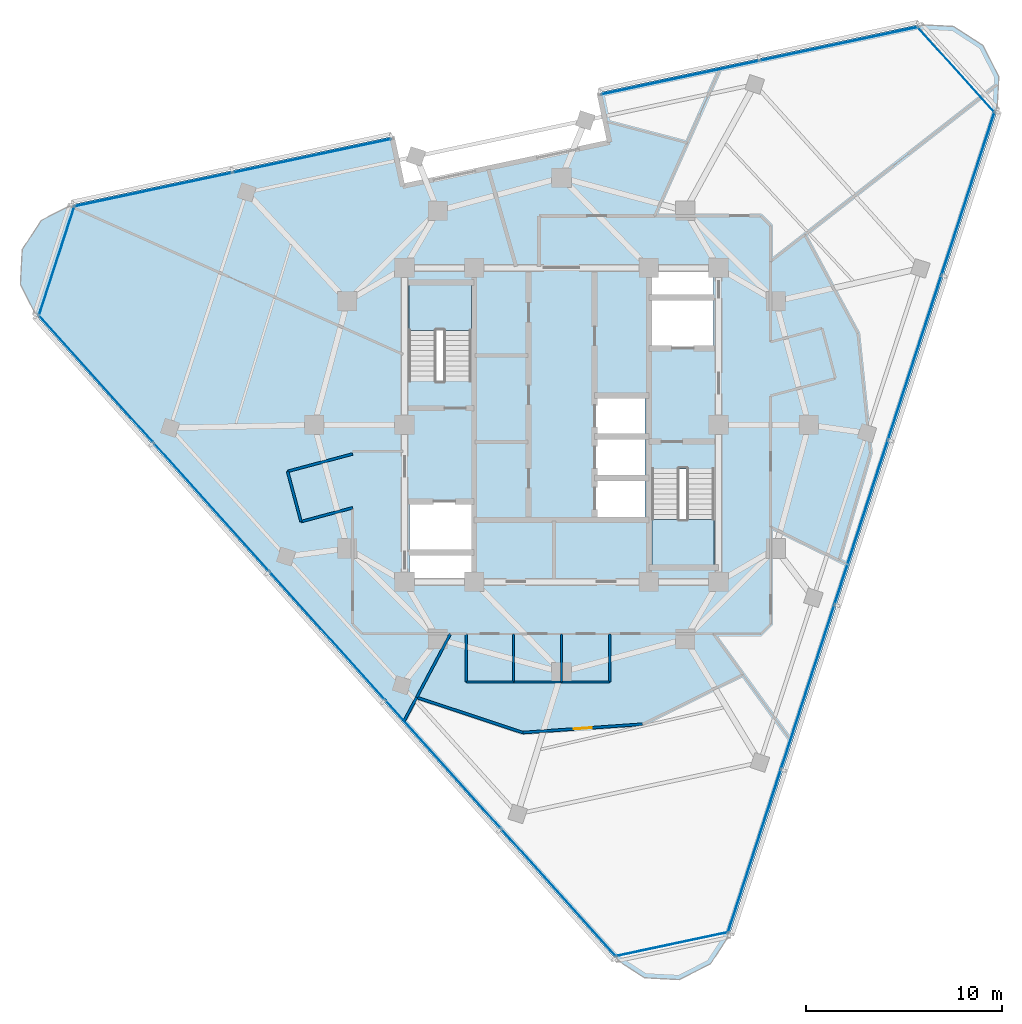
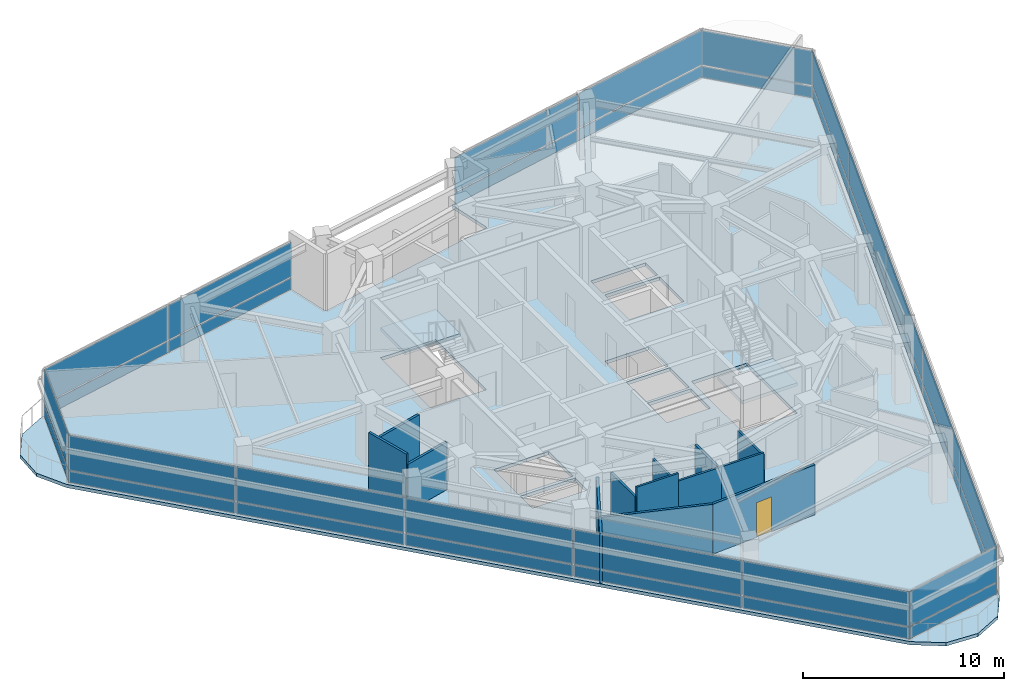
# One storey, part 7 of 15: 34 plates, 14 walls, 3 slabs, 1 door, 1 opening, 9 elements without a shape of their own.
"""IFC4 building model written with IfcOpenShell, lengths in metres."""

from ifc_helpers import new_model, si_unit, direction, frame, frame_2d, origin, origin_2d, place, context, subcontext, project, spatial, polyline, rectangle, outline, extrude, material, layer, layer_set, type_object, element, fill, aggregate, save


model = new_model("IFC4")

# Units and contexts
model_context = context("Model", 3, precision=1e-05, world=origin(), true_north=direction((0.0, 1.0)))
body_context = subcontext(model_context, "Body", "Model", "MODEL_VIEW")
ifc_project = project(units=[si_unit("LENGTHUNIT", "METRE"), si_unit("AREAUNIT", "SQUARE_METRE"), si_unit("VOLUMEUNIT", "CUBIC_METRE"), si_unit("PLANEANGLEUNIT", "RADIAN"), si_unit("MASSUNIT", "GRAM", prefix="KILO")], contexts=[model_context])

# Site, building, storey
site_placement = place(None, origin())
site = spatial("IfcSite", under=ifc_project, at=site_placement, CompositionType="ELEMENT")
building_placement = place(site_placement, origin())
building = spatial("IfcBuilding", under=site, at=building_placement, Name="Terralouvre Media Tower", CompositionType="ELEMENT")
storey_placement = place(building_placement, frame((0.0, 0.0, 294.300048828125)))
storey = spatial("IfcBuildingStorey", under=building, at=storey_placement, Name="L76", CompositionType="ELEMENT", Elevation=294.300048828125)

# Slab
ifc_material_1 = material(Name="Concrete C40/50", Category="concrete")
ifc_layer_1 = layer(ifc_material_1, 0.199951171875, Name="Composite Tower Floor Slab S-TYP200")
ifc_layer_set_1 = layer_set([ifc_layer_1], Name="Concrete C40/50")
slab_type_1 = type_object("IfcSlabType", Name="Composite Tower Floor Slab S-TYP200", PredefinedType="FLOOR", material=ifc_layer_set_1)
slab_1_placement = place(storey_placement, frame((0.0, 0.0, -0.199951171875), z_axis=(0.0, 0.0, 1.0), x_axis=(0.309016994375, 0.951056516295, 0.0)))
element("IfcSlab", 1, at=slab_1_placement, inside=storey, type_object=slab_type_1, Name="L76 Structural Floor Slab", PredefinedType="FLOOR", context=body_context, shape_type="SweptSolid", body=[
    extrude(outline(polyline([(25.0390625, -11.016357421875), (16.709228515625, 3.41162109375), (14.45751953125, 2.111572265625), (9.057373046875, 11.464599609375), (11.30908203125, 12.7646484375), (2.97900390625, 27.192626953125), (1.719970703125, 28.451904296875), (0.0, 28.91259765625), (-1.719970703125, 28.451904296875), (-2.97900390625, 27.192626953125), (-25.0390625, -11.016357421875), (-25.5, -12.736328125), (-25.0390625, -14.456298828125), (-23.780029296875, -15.715576171875), (-22.06005859375, -16.17626953125), (22.06005859375, -16.17626953125), (23.780029296875, -15.715576171875), (25.0390625, -14.456298828125), (25.5, -12.736328125), (25.0390625, -11.016357421875)]), holes=[polyline([(-7.698486328125, 2.33544921875), (-8.839599609375, 1.964599609375), (-9.813232421875, 4.96044921875), (-8.671875, 5.3310546875), (-7.698486328125, 2.33544921875)]), polyline([(-5.17822265625, 3.154296875), (-7.50830078125, 2.397216796875), (-8.481689453125, 5.39306640625), (-6.151611328125, 6.150146484375), (-5.17822265625, 3.154296875)]), polyline([(-5.483154296875, -6.618408203125), (-0.713623046875, -5.068603515625), (0.26904296875, -8.093017578125), (-4.50048828125, -9.642578125), (-5.483154296875, -6.618408203125)]), polyline([(-1.33056640625, -4.901123046875), (-3.17578125, -5.50048828125), (-3.9482421875, -3.122802734375), (-2.103271484375, -2.5234375), (-1.33056640625, -4.901123046875)]), polyline([(0.66650390625, -4.252197265625), (-1.178466796875, -4.8515625), (-1.950927734375, -2.473876953125), (-0.10595703125, -1.87451171875), (0.66650390625, -4.252197265625)]), polyline([(2.663818359375, -3.603271484375), (0.81884765625, -4.20263671875), (0.046142578125, -1.824951171875), (1.891357421875, -1.2255859375), (2.663818359375, -3.603271484375)]), polyline([(5.483154296875, 6.618408203125), (0.713623046875, 5.068603515625), (-0.26904296875, 8.093017578125), (4.50048828125, 9.642578125), (5.483154296875, 6.618408203125)]), polyline([(6.151611328125, -6.150146484375), (5.17822265625, -3.154296875), (7.50830078125, -2.397216796875), (8.481689453125, -5.39306640625), (6.151611328125, -6.150146484375)]), polyline([(8.671875, -5.3310546875), (7.698486328125, -2.33544921875), (8.839599609375, -1.964599609375), (9.813232421875, -4.96044921875), (8.671875, -5.3310546875)])]), origin(), (0.0, 0.0, 1.0), 0.199951171875),
])

# Stair, slab
ifc_material_2 = material(Name="Concrete C45/55", Category="concrete")
stair_type_1 = type_object("IfcStairType", Name="Dogleg Stair Assembly ST-01", PredefinedType="HALF_TURN_STAIR", material=ifc_material_2)
stair_1_placement = place(storey_placement, origin())
stair_1 = element("IfcStair", 2, at=stair_1_placement, inside=storey, type_object=stair_type_1, Name="L76 Core Pressurised Exit Stair ST-01", PredefinedType="HALF_TURN_STAIR")
ifc_material_3 = material(Name="Concrete C45/55", Category="concrete")
ifc_layer_2 = layer(ifc_material_3, 0.199951171875, Name="Reinforced Concrete Stair Half-Landing SL-LD1")
ifc_layer_set_2 = layer_set([ifc_layer_2], Name="Concrete C45/55")
slab_type_2 = type_object("IfcSlabType", Name="Reinforced Concrete Stair Half-Landing SL-LD1", PredefinedType="LANDING", material=ifc_layer_set_2)
slab_2_placement = place(storey_placement, frame((0.0, 0.0, 1.64990234375)))
slab_2 = element("IfcSlab", 3, at=slab_2_placement, type_object=slab_type_2, Name="ST-01 landing 1", PredefinedType="LANDING", context=body_context, shape_type="SweptSolid", body=[
    extrude(outline(polyline([(-4.60009765625, 4.820068359375), (-4.60009765625, 7.260009765625), (-7.780029296875, 7.260009765625), (-7.780029296875, 4.820068359375), (-4.60009765625, 4.820068359375)])), origin(), (0.0, 0.0, 1.0), 0.199951171875),
])
aggregate(stair_1, [slab_2])

ifc_material_4 = material(Name="Concrete C45/55", Category="concrete")
stair_type_2 = type_object("IfcStairType", Name="Dogleg Stair Assembly ST-02", PredefinedType="HALF_TURN_STAIR", material=ifc_material_4)
stair_2_placement = place(storey_placement, origin())
stair_2 = element("IfcStair", 4, at=stair_2_placement, inside=storey, type_object=stair_type_2, Name="L76 Core Pressurised Exit Stair ST-02", PredefinedType="HALF_TURN_STAIR")
slab_3_placement = place(storey_placement, frame((0.0, 0.0, 1.64990234375)))
slab_3 = element("IfcSlab", 5, at=slab_3_placement, type_object=slab_type_2, Name="ST-02 landing 1", PredefinedType="LANDING", context=body_context, shape_type="SweptSolid", body=[
    extrude(outline(polyline([(4.60009765625, -4.820068359375), (4.60009765625, -7.260009765625), (7.780029296875, -7.260009765625), (7.780029296875, -4.820068359375), (4.60009765625, -4.820068359375)])), origin(), (0.0, 0.0, 1.0), 0.199951171875),
])
aggregate(stair_2, [slab_3])

# Curtain wall, plates
ifc_material_5 = material(Name="Low-iron laminated double glazing with solar-control coating", Category="glass")
ifc_layer_3 = layer(ifc_material_5, 0.1650390625, Name="Rounded Wind-Corner Curved Glazing CW-04")
ifc_layer_set_3 = layer_set([ifc_layer_3], Name="Low-iron laminated double glazing with solar-control coating")
curtain_wall_type_1 = type_object("IfcCurtainWallType", Name="Rounded Wind-Corner Curved Glazing CW-04", PredefinedType="NOTDEFINED", material=ifc_layer_set_3)
curtain_wall_1_placement = place(storey_placement, origin())
curtain_wall_1 = element("IfcCurtainWall", 6, at=curtain_wall_1_placement, inside=storey, type_object=curtain_wall_type_1, Name="L76 Rounded Wind-Corner Curtain Wall C0", PredefinedType="NOTDEFINED")
ifc_material_6 = material(Name="Low-iron laminated double glazing with solar-control coating", Category="glass")
ifc_layer_4 = layer(ifc_material_6, 0.0400390625, Name="Rounded Corner Laminated Vision Panel CWP-03")
ifc_layer_set_4 = layer_set([ifc_layer_4], Name="Low-iron laminated double glazing with solar-control coating")
plate_type_1 = type_object("IfcPlateType", Name="Rounded Corner Laminated Vision Panel CWP-03", PredefinedType="CURTAIN_PANEL", material=ifc_layer_set_4)
plate_1_placement = place(storey_placement, frame((5.62451171875, -26.46142578125, 0.074951171875), z_axis=(0.0, 0.0, 1.0), x_axis=(0.978147609922, 0.207911647592, 0.0)))
plate_1 = element("IfcPlate", 7, at=plate_1_placement, type_object=plate_type_1, Name="CW-04 panel 1.1", PredefinedType="CURTAIN_PANEL", context=body_context, shape_type="SweptSolid", body=[
    extrude(rectangle(XDim=5.808349609375, YDim=0.035888671875, at=origin_2d()), origin(), (0.0, 0.0, 1.0), 0.6875),
])
plate_2_placement = place(storey_placement, frame((5.62451171875, -26.46142578125, 0.83740234375), z_axis=(0.0, 0.0, 1.0), x_axis=(0.978147609922, 0.207911647592, 0.0)))
plate_2 = element("IfcPlate", 8, at=plate_2_placement, type_object=plate_type_1, Name="CW-04 panel 1.2", PredefinedType="CURTAIN_PANEL", context=body_context, shape_type="SweptSolid", body=[
    extrude(rectangle(XDim=5.808349609375, YDim=0.035888671875, at=origin_2d()), origin(), (0.0, 0.0, 1.0), 2.08740234375),
])
aggregate(curtain_wall_1, [plate_1, plate_2])

curtain_wall_2_placement = place(storey_placement, origin())
curtain_wall_2 = element("IfcCurtainWall", 9, at=curtain_wall_2_placement, inside=storey, type_object=curtain_wall_type_1, Name="L76 Rounded Wind-Corner Curtain Wall C1", PredefinedType="NOTDEFINED")
plate_3_placement = place(storey_placement, frame((20.10400390625, 18.101806640625, 0.074951171875), z_axis=(0.0, 0.0, 1.0), x_axis=(-0.669130231192, 0.743145163279, 0.0)))
plate_3 = element("IfcPlate", 10, at=plate_3_placement, type_object=plate_type_1, Name="CW-04 panel 1.1", PredefinedType="CURTAIN_PANEL", context=body_context, shape_type="SweptSolid", body=[
    extrude(rectangle(XDim=5.808349609375, YDim=0.035888671875, at=origin_2d()), origin(), (0.0, 0.0, 1.0), 0.6875),
])
plate_4_placement = place(storey_placement, frame((20.10400390625, 18.101806640625, 0.83740234375), z_axis=(0.0, 0.0, 1.0), x_axis=(-0.669130231192, 0.743145163279, 0.0)))
plate_4 = element("IfcPlate", 11, at=plate_4_placement, type_object=plate_type_1, Name="CW-04 panel 1.2", PredefinedType="CURTAIN_PANEL", context=body_context, shape_type="SweptSolid", body=[
    extrude(rectangle(XDim=5.808349609375, YDim=0.035888671875, at=origin_2d()), origin(), (0.0, 0.0, 1.0), 2.08740234375),
])
aggregate(curtain_wall_2, [plate_3, plate_4])

curtain_wall_3_placement = place(storey_placement, origin())
curtain_wall_3 = element("IfcCurtainWall", 12, at=curtain_wall_3_placement, inside=storey, type_object=curtain_wall_type_1, Name="L76 Rounded Wind-Corner Curtain Wall C2", PredefinedType="NOTDEFINED")
plate_5_placement = place(storey_placement, frame((-25.728759765625, 8.359619140625, 0.074951171875), z_axis=(0.0, 0.0, 1.0), x_axis=(-0.30901654693, -0.951056661679, 0.0)))
plate_5 = element("IfcPlate", 13, at=plate_5_placement, type_object=plate_type_1, Name="CW-04 panel 1.1", PredefinedType="CURTAIN_PANEL", context=body_context, shape_type="SweptSolid", body=[
    extrude(rectangle(XDim=5.808349609375, YDim=0.035888671875, at=origin_2d()), origin(), (0.0, 0.0, 1.0), 0.6875),
])
plate_6_placement = place(storey_placement, frame((-25.728759765625, 8.359619140625, 0.83740234375), z_axis=(0.0, 0.0, 1.0), x_axis=(-0.30901654693, -0.951056661679, 0.0)))
plate_6 = element("IfcPlate", 14, at=plate_6_placement, type_object=plate_type_1, Name="CW-04 panel 1.2", PredefinedType="CURTAIN_PANEL", context=body_context, shape_type="SweptSolid", body=[
    extrude(rectangle(XDim=5.808349609375, YDim=0.035888671875, at=origin_2d()), origin(), (0.0, 0.0, 1.0), 2.08740234375),
])
aggregate(curtain_wall_3, [plate_5, plate_6])

ifc_material_7 = material(Name="Low-iron laminated double glazing with solar-control coating", Category="glass")
ifc_layer_5 = layer(ifc_material_7, 0.1650390625, Name="Faceted Glass-Point Crown Curtain Wall CW-06")
ifc_layer_set_5 = layer_set([ifc_layer_5], Name="Low-iron laminated double glazing with solar-control coating")
curtain_wall_type_2 = type_object("IfcCurtainWallType", Name="Faceted Glass-Point Crown Curtain Wall CW-06", PredefinedType="NOTDEFINED", material=ifc_layer_set_5)
curtain_wall_4_placement = place(storey_placement, origin())
curtain_wall_4 = element("IfcCurtainWall", 15, at=curtain_wall_4_placement, inside=storey, type_object=curtain_wall_type_2, Name="L76 Facade Curtain Wall F0", PredefinedType="NOTDEFINED")
ifc_material_8 = material(Name="Low-iron laminated double glazing with solar-control coating", Category="glass")
ifc_layer_6 = layer(ifc_material_8, 0.035888671875, Name="Vision Double-Glazed Unit CWP-01")
ifc_layer_set_6 = layer_set([ifc_layer_6], Name="Low-iron laminated double glazing with solar-control coating")
plate_type_2 = type_object("IfcPlateType", Name="Vision Double-Glazed Unit CWP-01", PredefinedType="CURTAIN_PANEL", material=ifc_layer_set_6)
plate_7_placement = place(storey_placement, frame((9.82275390625, -21.72802734375, 0.074951171875), z_axis=(0.0, 0.0, 1.0), x_axis=(0.309017021946, 0.951056507337, 0.0)))
plate_7 = element("IfcPlate", 16, at=plate_7_placement, type_object=plate_type_2, Name="CW-06 panel 1.1", PredefinedType="CURTAIN_PANEL", context=body_context, shape_type="SweptSolid", body=[
    extrude(rectangle(XDim=8.71142578125, YDim=0.035888671875, at=origin_2d()), origin(), (0.0, 0.0, 1.0), 0.6875),
])
plate_8_placement = place(storey_placement, frame((9.82275390625, -21.72802734375, 0.83740234375), z_axis=(0.0, 0.0, 1.0), x_axis=(0.309017021946, 0.951056507337, 0.0)))
plate_8 = element("IfcPlate", 17, at=plate_8_placement, type_object=plate_type_2, Name="CW-06 panel 1.2", PredefinedType="CURTAIN_PANEL", context=body_context, shape_type="SweptSolid", body=[
    extrude(rectangle(XDim=8.71142578125, YDim=0.035888671875, at=origin_2d()), origin(), (0.0, 0.0, 1.0), 2.08740234375),
])
plate_9_placement = place(storey_placement, frame((12.543701171875, -13.353759765625, 0.074951171875), z_axis=(0.0, 0.0, 1.0), x_axis=(0.309017021946, 0.951056507337, 0.0)))
plate_9 = element("IfcPlate", 18, at=plate_9_placement, type_object=plate_type_2, Name="CW-06 panel 2.1", PredefinedType="CURTAIN_PANEL", context=body_context, shape_type="SweptSolid", body=[
    extrude(rectangle(XDim=8.7490234375, YDim=0.035888671875, at=origin_2d()), origin(), (0.0, 0.0, 1.0), 0.6875),
])
plate_10_placement = place(storey_placement, frame((12.543701171875, -13.353759765625, 0.83740234375), z_axis=(0.0, 0.0, 1.0), x_axis=(0.309017021946, 0.951056507337, 0.0)))
plate_10 = element("IfcPlate", 19, at=plate_10_placement, type_object=plate_type_2, Name="CW-06 panel 2.2", PredefinedType="CURTAIN_PANEL", context=body_context, shape_type="SweptSolid", body=[
    extrude(rectangle(XDim=8.7490234375, YDim=0.035888671875, at=origin_2d()), origin(), (0.0, 0.0, 1.0), 2.08740234375),
])
plate_11_placement = place(storey_placement, frame((15.2705078125, -4.961669921875, 0.074951171875), z_axis=(0.0, 0.0, 1.0), x_axis=(0.309017021946, 0.951056507337, 0.0)))
plate_11 = element("IfcPlate", 20, at=plate_11_placement, type_object=plate_type_2, Name="CW-06 panel 3.1", PredefinedType="CURTAIN_PANEL", context=body_context, shape_type="SweptSolid", body=[
    extrude(rectangle(XDim=8.7490234375, YDim=0.035888671875, at=origin_2d()), origin(), (0.0, 0.0, 1.0), 0.6875),
])
plate_12_placement = place(storey_placement, frame((15.2705078125, -4.961669921875, 0.83740234375), z_axis=(0.0, 0.0, 1.0), x_axis=(0.309017021946, 0.951056507337, 0.0)))
plate_12 = element("IfcPlate", 21, at=plate_12_placement, type_object=plate_type_2, Name="CW-06 panel 3.2", PredefinedType="CURTAIN_PANEL", context=body_context, shape_type="SweptSolid", body=[
    extrude(rectangle(XDim=8.7490234375, YDim=0.035888671875, at=origin_2d()), origin(), (0.0, 0.0, 1.0), 2.08740234375),
])
plate_13_placement = place(storey_placement, frame((17.997314453125, 3.430419921875, 0.074951171875), z_axis=(0.0, 0.0, 1.0), x_axis=(0.309017021946, 0.951056507337, 0.0)))
plate_13 = element("IfcPlate", 22, at=plate_13_placement, type_object=plate_type_2, Name="CW-06 panel 4.1", PredefinedType="CURTAIN_PANEL", context=body_context, shape_type="SweptSolid", body=[
    extrude(rectangle(XDim=8.7490234375, YDim=0.035888671875, at=origin_2d()), origin(), (0.0, 0.0, 1.0), 0.6875),
])
plate_14_placement = place(storey_placement, frame((17.997314453125, 3.430419921875, 0.83740234375), z_axis=(0.0, 0.0, 1.0), x_axis=(0.309017021946, 0.951056507337, 0.0)))
plate_14 = element("IfcPlate", 23, at=plate_14_placement, type_object=plate_type_2, Name="CW-06 panel 4.2", PredefinedType="CURTAIN_PANEL", context=body_context, shape_type="SweptSolid", body=[
    extrude(rectangle(XDim=8.7490234375, YDim=0.035888671875, at=origin_2d()), origin(), (0.0, 0.0, 1.0), 2.08740234375),
])
plate_15_placement = place(storey_placement, frame((20.71826171875, 11.8046875, 0.074951171875), z_axis=(0.0, 0.0, 1.0), x_axis=(0.309017021946, 0.951056507337, 0.0)))
plate_15 = element("IfcPlate", 24, at=plate_15_placement, type_object=plate_type_2, Name="CW-06 panel 5.1", PredefinedType="CURTAIN_PANEL", context=body_context, shape_type="SweptSolid", body=[
    extrude(rectangle(XDim=8.71142578125, YDim=0.035888671875, at=origin_2d()), origin(), (0.0, 0.0, 1.0), 0.6875),
])
plate_16_placement = place(storey_placement, frame((20.71826171875, 11.8046875, 0.83740234375), z_axis=(0.0, 0.0, 1.0), x_axis=(0.309017021946, 0.951056507337, 0.0)))
plate_16 = element("IfcPlate", 25, at=plate_16_placement, type_object=plate_type_2, Name="CW-06 panel 5.2", PredefinedType="CURTAIN_PANEL", context=body_context, shape_type="SweptSolid", body=[
    extrude(rectangle(XDim=8.71142578125, YDim=0.035888671875, at=origin_2d()), origin(), (0.0, 0.0, 1.0), 2.08740234375),
])
aggregate(curtain_wall_4, [plate_7, plate_8, plate_9, plate_10, plate_11, plate_12, plate_13, plate_14, plate_15, plate_16])

curtain_wall_5_placement = place(storey_placement, origin())
curtain_wall_5 = element("IfcCurtainWall", 26, at=curtain_wall_5_placement, inside=storey, type_object=curtain_wall_type_2, Name="L76 Left Flank Curtain Wall F1", PredefinedType="NOTDEFINED")
plate_17_placement = place(storey_placement, frame((14.147216796875, 19.422119140625, 0.074951171875), z_axis=(0.0, 0.0, 1.0), x_axis=(-0.978147588229, -0.207911749648, 0.0)))
plate_17 = element("IfcPlate", 27, at=plate_17_placement, type_object=plate_type_2, Name="CW-06 panel 1.1", PredefinedType="CURTAIN_PANEL", context=body_context, shape_type="SweptSolid", body=[
    extrude(rectangle(XDim=8.217529296875, YDim=0.035888671875, at=origin_2d()), origin(), (0.0, 0.0, 1.0), 0.6875),
])
plate_18_placement = place(storey_placement, frame((14.147216796875, 19.422119140625, 0.83740234375), z_axis=(0.0, 0.0, 1.0), x_axis=(-0.978147588229, -0.207911749648, 0.0)))
plate_18 = element("IfcPlate", 28, at=plate_18_placement, type_object=plate_type_2, Name="CW-06 panel 1.2", PredefinedType="CURTAIN_PANEL", context=body_context, shape_type="SweptSolid", body=[
    extrude(rectangle(XDim=8.217529296875, YDim=0.035888671875, at=origin_2d()), origin(), (0.0, 0.0, 1.0), 2.08740234375),
])
plate_19_placement = place(storey_placement, frame((6.0361328125, 17.697998046875, 0.074951171875), z_axis=(0.0, 0.0, 1.0), x_axis=(-0.978147588229, -0.207911749648, 0.0)))
plate_19 = element("IfcPlate", 29, at=plate_19_placement, type_object=plate_type_2, Name="CW-06 panel 2.1", PredefinedType="CURTAIN_PANEL", context=body_context, shape_type="SweptSolid", body=[
    extrude(rectangle(XDim=8.217529296875, YDim=0.035888671875, at=origin_2d()), origin(), (0.0, 0.0, 1.0), 0.6875),
])
plate_20_placement = place(storey_placement, frame((6.0361328125, 17.697998046875, 0.83740234375), z_axis=(0.0, 0.0, 1.0), x_axis=(-0.978147588229, -0.207911749648, 0.0)))
plate_20 = element("IfcPlate", 30, at=plate_20_placement, type_object=plate_type_2, Name="CW-06 panel 2.2", PredefinedType="CURTAIN_PANEL", context=body_context, shape_type="SweptSolid", body=[
    extrude(rectangle(XDim=8.217529296875, YDim=0.035888671875, at=origin_2d()), origin(), (0.0, 0.0, 1.0), 2.08740234375),
])
aggregate(curtain_wall_5, [plate_17, plate_18, plate_19, plate_20])

curtain_wall_6_placement = place(storey_placement, origin())
curtain_wall_6 = element("IfcCurtainWall", 31, at=curtain_wall_6_placement, inside=storey, type_object=curtain_wall_type_2, Name="L76 Right Flank Curtain Wall F1", PredefinedType="NOTDEFINED")
plate_21_placement = place(storey_placement, frame((-12.712646484375, 13.712890625, 0.074951171875), z_axis=(0.0, 0.0, 1.0), x_axis=(-0.978147684351, -0.20791129743, 0.0)))
plate_21 = element("IfcPlate", 32, at=plate_21_placement, type_object=plate_type_2, Name="CW-06 panel 1.1", PredefinedType="CURTAIN_PANEL", context=body_context, shape_type="SweptSolid", body=[
    extrude(rectangle(XDim=8.217529296875, YDim=0.035888671875, at=origin_2d()), origin(), (0.0, 0.0, 1.0), 0.6875),
])
plate_22_placement = place(storey_placement, frame((-12.712646484375, 13.712890625, 0.83740234375), z_axis=(0.0, 0.0, 1.0), x_axis=(-0.978147684351, -0.20791129743, 0.0)))
plate_22 = element("IfcPlate", 33, at=plate_22_placement, type_object=plate_type_2, Name="CW-06 panel 1.2", PredefinedType="CURTAIN_PANEL", context=body_context, shape_type="SweptSolid", body=[
    extrude(rectangle(XDim=8.217529296875, YDim=0.035888671875, at=origin_2d()), origin(), (0.0, 0.0, 1.0), 2.08740234375),
])
plate_23_placement = place(storey_placement, frame((-20.823974609375, 11.98876953125, 0.074951171875), z_axis=(0.0, 0.0, 1.0), x_axis=(-0.978147684351, -0.20791129743, 0.0)))
plate_23 = element("IfcPlate", 34, at=plate_23_placement, type_object=plate_type_2, Name="CW-06 panel 2.1", PredefinedType="CURTAIN_PANEL", context=body_context, shape_type="SweptSolid", body=[
    extrude(rectangle(XDim=8.217529296875, YDim=0.035888671875, at=origin_2d()), origin(), (0.0, 0.0, 1.0), 0.6875),
])
plate_24_placement = place(storey_placement, frame((-20.823974609375, 11.98876953125, 0.83740234375), z_axis=(0.0, 0.0, 1.0), x_axis=(-0.978147684351, -0.20791129743, 0.0)))
plate_24 = element("IfcPlate", 35, at=plate_24_placement, type_object=plate_type_2, Name="CW-06 panel 2.2", PredefinedType="CURTAIN_PANEL", context=body_context, shape_type="SweptSolid", body=[
    extrude(rectangle(XDim=8.217529296875, YDim=0.035888671875, at=origin_2d()), origin(), (0.0, 0.0, 1.0), 2.08740234375),
])
aggregate(curtain_wall_6, [plate_21, plate_22, plate_23, plate_24])

curtain_wall_7_placement = place(storey_placement, origin())
curtain_wall_7 = element("IfcCurtainWall", 36, at=curtain_wall_7_placement, inside=storey, type_object=curtain_wall_type_2, Name="L76 Facade Curtain Wall F2", PredefinedType="NOTDEFINED")
plate_25_placement = place(storey_placement, frame((-23.728515625, 2.357177734375, 0.074951171875), z_axis=(0.0, 0.0, 1.0), x_axis=(0.669130573531, -0.743144855036, 0.0)))
plate_25 = element("IfcPlate", 37, at=plate_25_placement, type_object=plate_type_2, Name="CW-06 panel 1.1", PredefinedType="CURTAIN_PANEL", context=body_context, shape_type="SweptSolid", body=[
    extrude(rectangle(XDim=8.71142578125, YDim=0.035888671875, at=origin_2d()), origin(), (0.0, 0.0, 1.0), 0.6875),
])
plate_26_placement = place(storey_placement, frame((-23.728515625, 2.357177734375, 0.83740234375), z_axis=(0.0, 0.0, 1.0), x_axis=(0.669130573531, -0.743144855036, 0.0)))
plate_26 = element("IfcPlate", 38, at=plate_26_placement, type_object=plate_type_2, Name="CW-06 panel 1.2", PredefinedType="CURTAIN_PANEL", context=body_context, shape_type="SweptSolid", body=[
    extrude(rectangle(XDim=8.71142578125, YDim=0.035888671875, at=origin_2d()), origin(), (0.0, 0.0, 1.0), 2.08740234375),
])
plate_27_placement = place(storey_placement, frame((-17.836669921875, -4.186279296875, 0.074951171875), z_axis=(0.0, 0.0, 1.0), x_axis=(0.669130573531, -0.743144855036, 0.0)))
plate_27 = element("IfcPlate", 39, at=plate_27_placement, type_object=plate_type_2, Name="CW-06 panel 2.1", PredefinedType="CURTAIN_PANEL", context=body_context, shape_type="SweptSolid", body=[
    extrude(rectangle(XDim=8.7490234375, YDim=0.035888671875, at=origin_2d()), origin(), (0.0, 0.0, 1.0), 0.6875),
])
plate_28_placement = place(storey_placement, frame((-17.836669921875, -4.186279296875, 0.83740234375), z_axis=(0.0, 0.0, 1.0), x_axis=(0.669130573531, -0.743144855036, 0.0)))
plate_28 = element("IfcPlate", 40, at=plate_28_placement, type_object=plate_type_2, Name="CW-06 panel 2.2", PredefinedType="CURTAIN_PANEL", context=body_context, shape_type="SweptSolid", body=[
    extrude(rectangle(XDim=8.7490234375, YDim=0.035888671875, at=origin_2d()), origin(), (0.0, 0.0, 1.0), 2.08740234375),
])
plate_29_placement = place(storey_placement, frame((-11.93212890625, -10.743896484375, 0.074951171875), z_axis=(0.0, 0.0, 1.0), x_axis=(0.669130573531, -0.743144855036, 0.0)))
plate_29 = element("IfcPlate", 41, at=plate_29_placement, type_object=plate_type_2, Name="CW-06 panel 3.1", PredefinedType="CURTAIN_PANEL", context=body_context, shape_type="SweptSolid", body=[
    extrude(rectangle(XDim=8.7490234375, YDim=0.035888671875, at=origin_2d()), origin(), (0.0, 0.0, 1.0), 0.6875),
])
plate_30_placement = place(storey_placement, frame((-11.93212890625, -10.743896484375, 0.83740234375), z_axis=(0.0, 0.0, 1.0), x_axis=(0.669130573531, -0.743144855036, 0.0)))
plate_30 = element("IfcPlate", 42, at=plate_30_placement, type_object=plate_type_2, Name="CW-06 panel 3.2", PredefinedType="CURTAIN_PANEL", context=body_context, shape_type="SweptSolid", body=[
    extrude(rectangle(XDim=8.7490234375, YDim=0.035888671875, at=origin_2d()), origin(), (0.0, 0.0, 1.0), 2.08740234375),
])
plate_31_placement = place(storey_placement, frame((-6.02783203125, -17.30126953125, 0.074951171875), z_axis=(0.0, 0.0, 1.0), x_axis=(0.669130573531, -0.743144855036, 0.0)))
plate_31 = element("IfcPlate", 43, at=plate_31_placement, type_object=plate_type_2, Name="CW-06 panel 4.1", PredefinedType="CURTAIN_PANEL", context=body_context, shape_type="SweptSolid", body=[
    extrude(rectangle(XDim=8.7490234375, YDim=0.035888671875, at=origin_2d()), origin(), (0.0, 0.0, 1.0), 0.6875),
])
plate_32_placement = place(storey_placement, frame((-6.02783203125, -17.30126953125, 0.83740234375), z_axis=(0.0, 0.0, 1.0), x_axis=(0.669130573531, -0.743144855036, 0.0)))
plate_32 = element("IfcPlate", 44, at=plate_32_placement, type_object=plate_type_2, Name="CW-06 panel 4.2", PredefinedType="CURTAIN_PANEL", context=body_context, shape_type="SweptSolid", body=[
    extrude(rectangle(XDim=8.7490234375, YDim=0.035888671875, at=origin_2d()), origin(), (0.0, 0.0, 1.0), 2.08740234375),
])
plate_33_placement = place(storey_placement, frame((-0.135986328125, -23.844970703125, 0.074951171875), z_axis=(0.0, 0.0, 1.0), x_axis=(0.669130573531, -0.743144855036, 0.0)))
plate_33 = element("IfcPlate", 45, at=plate_33_placement, type_object=plate_type_2, Name="CW-06 panel 5.1", PredefinedType="CURTAIN_PANEL", context=body_context, shape_type="SweptSolid", body=[
    extrude(rectangle(XDim=8.71142578125, YDim=0.035888671875, at=origin_2d()), origin(), (0.0, 0.0, 1.0), 0.6875),
])
plate_34_placement = place(storey_placement, frame((-0.135986328125, -23.844970703125, 0.83740234375), z_axis=(0.0, 0.0, 1.0), x_axis=(0.669130573531, -0.743144855036, 0.0)))
plate_34 = element("IfcPlate", 46, at=plate_34_placement, type_object=plate_type_2, Name="CW-06 panel 5.2", PredefinedType="CURTAIN_PANEL", context=body_context, shape_type="SweptSolid", body=[
    extrude(rectangle(XDim=8.71142578125, YDim=0.035888671875, at=origin_2d()), origin(), (0.0, 0.0, 1.0), 2.08740234375),
])
aggregate(curtain_wall_7, [plate_25, plate_26, plate_27, plate_28, plate_29, plate_30, plate_31, plate_32, plate_33, plate_34])

# Walls
ifc_material_9 = material(Name="Fire-rated gypsum board drywall partition")
ifc_layer_7 = layer(ifc_material_9, 0.135009765625, Name="Newsroom Acoustic Partition PT-135")
ifc_layer_set_7 = layer_set([ifc_layer_7], Name="Fire-rated gypsum board drywall partition")
wall_type_1 = type_object("IfcWallType", Name="Newsroom Acoustic Partition PT-135", PredefinedType="PARTITIONING", material=ifc_layer_set_7)
wall_1_placement = place(storey_placement, frame((-10.64990234375, -1.48193359375, 0.0), z_axis=(0.0, 0.0, 1.0), x_axis=(-0.965961397105, -0.2586862565, 0.0)))
element("IfcWall", 47, at=wall_1_placement, inside=storey, type_object=wall_type_1, Name="L76 Interior Partition 002", PredefinedType="PARTITIONING", context=body_context, shape_type="SweptSolid", body=[
    extrude(rectangle(XDim=3.4287109375, YDim=0.135009765625, at=frame_2d((1.71435546875, 0.0))), origin(), (0.0, 0.0, 1.0), 2.885009765625),
])
wall_2_placement = place(storey_placement, frame((-13.9619140625, -2.368896484375, 0.0), z_axis=(0.0, 0.0, 1.0), x_axis=(0.258413725385, -0.966034340245, 0.0)))
element("IfcWall", 48, at=wall_2_placement, inside=storey, type_object=wall_type_1, Name="L76 Interior Partition 003", PredefinedType="PARTITIONING", context=body_context, shape_type="SweptSolid", body=[
    extrude(rectangle(XDim=2.650146484375, YDim=0.135009765625, at=frame_2d((1.3251953125, 0.0))), origin(), (0.0, 0.0, 1.0), 3.5),
])
wall_3_placement = place(storey_placement, frame((-13.277099609375, -4.928955078125, 0.0), z_axis=(0.0, 0.0, 1.0), x_axis=(0.965934830229, 0.258785439601, 0.0)))
element("IfcWall", 49, at=wall_3_placement, inside=storey, type_object=wall_type_1, Name="L76 Interior Partition 004", PredefinedType="PARTITIONING", context=body_context, shape_type="SweptSolid", body=[
    extrude(rectangle(XDim=2.719970703125, YDim=0.135009765625, at=frame_2d((1.35986328125, 0.0))), origin(), (0.0, 0.0, 1.0), 2.885009765625),
])
wall_4_placement = place(storey_placement, frame((-7.382080078125, -13.884033203125, 0.0), z_axis=(0.0, 0.0, 1.0), x_axis=(0.469338791783, 0.88301817565, 0.0)))
element("IfcWall", 50, at=wall_4_placement, inside=storey, type_object=wall_type_1, Name="L76 Interior Partition 026", PredefinedType="PARTITIONING", context=body_context, shape_type="SweptSolid", body=[
    extrude(rectangle(XDim=3.66259765625, YDim=0.135009765625, at=frame_2d((1.831298828125, 0.0))), origin(), (0.0, 0.0, 1.0), 2.885009765625),
])
wall_5_placement = place(storey_placement, frame((-8.041748046875, -15.124267578125, 0.0), z_axis=(0.0, 0.0, 1.0), x_axis=(0.469595679185, 0.882881587808, 0.0)))
element("IfcWall", 51, at=wall_5_placement, inside=storey, type_object=wall_type_1, Name="L76 Interior Partition 027", PredefinedType="PARTITIONING", context=body_context, shape_type="SweptSolid", body=[
    extrude(rectangle(XDim=1.40478515625, YDim=0.135009765625, at=frame_2d((0.702392578125, 0.0))), origin(), (0.0, 0.0, 1.0), 3.034912109375),
])
wall_6_placement = place(storey_placement, frame((-7.382080078125, -13.884033203125, 0.0), z_axis=(0.0, 0.0, 1.0), x_axis=(0.949247116003, -0.314531258795, 0.0)))
element("IfcWall", 52, at=wall_6_placement, inside=storey, type_object=wall_type_1, Name="L76 Interior Partition 041", PredefinedType="PARTITIONING", context=body_context, shape_type="SweptSolid", body=[
    extrude(rectangle(XDim=5.700439453125, YDim=0.135009765625, at=frame_2d((2.85009765625, 0.0))), origin(), (0.0, 0.0, 1.0), 3.034912109375),
])

# Wall, opening, door
wall_7_placement = place(storey_placement, frame((-1.970947265625, -15.677001953125, 0.0), z_axis=(0.0, 0.0, 1.0), x_axis=(0.997562911572, 0.069772755832, 0.0)))
wall_7 = element("IfcWall", 53, at=wall_7_placement, inside=storey, type_object=wall_type_1, Name="L76 Interior Partition 042", PredefinedType="PARTITIONING", context=body_context, shape_type="SweptSolid", body=[
    extrude(rectangle(XDim=6.119873046875, YDim=0.135009765625, at=frame_2d((3.06005859375, 0.0))), origin(), (0.0, 0.0, 1.0), 3.034912109375),
])
opening_placement = place(wall_7_placement, frame((2.60009765625, 0.0, 0.0)))
opening = element("IfcOpeningElement", 54, at=opening_placement, cuts=wall_7, Name="Opening ID-03-92X210", PredefinedType="OPENING", context=body_context, shape_type="SweptSolid", body=[
    extrude(rectangle(XDim=0.919921875, YDim=2.10009765625, at=frame_2d((0.4599609375, 1.050048828125))), frame((0.0, 0.077392578125, 0.0), z_axis=(0.0, -1.0, 0.0), x_axis=(1.0, 0.0, 0.0)), (0.0, 0.0, 1.0), 0.155029296875),
])
ifc_material_10 = material(Name="Engineered hardwood acoustic timber leaf", Category="wood")
door_type = type_object("IfcDoorType", Name="Accessible Restroom and Suite Door ID-03 (920x2100)", OperationType="NOTDEFINED", PredefinedType="DOOR", material=ifc_material_10)
door_placement = place(opening_placement, origin())
door = element("IfcDoor", 55, at=door_placement, inside=storey, type_object=door_type, Name="L76 UX Sprint Project Conference Room 4 Door", OperationType="SINGLE_SWING_LEFT", OverallHeight=2.10009765625, OverallWidth=0.919921875, PredefinedType="DOOR", context=body_context, shape_type="SweptSolid", body=[
    extrude(rectangle(XDim=0.919921875, YDim=2.10009765625, at=frame_2d((0.4599609375, 1.050048828125))), frame((0.0, 0.02490234375, 0.0), z_axis=(0.0, -1.0, 0.0), x_axis=(1.0, 0.0, 0.0)), (0.0, 0.0, 1.0), 0.050048828125),
])
fill(opening, door)

# Walls
ifc_material_11 = material(Name="Fire-rated gypsum board drywall partition")
ifc_layer_8 = layer(ifc_material_11, 0.114990234375, Name="Restroom and Pantry Partition PT-115")
ifc_layer_set_8 = layer_set([ifc_layer_8], Name="Fire-rated gypsum board drywall partition")
wall_type_2 = type_object("IfcWallType", Name="Restroom and Pantry Partition PT-115", PredefinedType="PARTITIONING", material=ifc_layer_set_8)
for number, where, z_axis, x_axis, name in (
    (56, (-2.449951171875, -13.10009765625, 0.0), (0.0, 0.0, 1.0), (0.0, 1.0, 0.0), "L76 Interior Partition 034"),
    (57, (-4.85009765625, -10.64990234375, 0.0), (0.0, 0.0, 1.0), (0.0, -1.0, 0.0), "L76 Interior Partition 035"),
):
    element("IfcWall", number, at=place(storey_placement, frame(where, z_axis=z_axis, x_axis=x_axis)), inside=storey, type_object=wall_type_2, Name=name, PredefinedType="PARTITIONING", context=body_context, shape_type="SweptSolid", body=[
        extrude(rectangle(XDim=2.4501953125, YDim=0.114990234375, at=frame_2d((1.22509765625, 0.0))), origin(), (0.0, 0.0, 1.0), 2.885009765625),
    ])
wall_8_placement = place(storey_placement, frame((-4.85009765625, -13.10009765625, 0.0), z_axis=(0.0, 0.0, 1.0), x_axis=(1.0, 0.0, 0.0)))
element("IfcWall", 58, at=wall_8_placement, inside=storey, type_object=wall_type_2, Name="L76 Interior Partition 036", PredefinedType="PARTITIONING", context=body_context, shape_type="SweptSolid", body=[
    extrude(rectangle(XDim=2.400146484375, YDim=0.114990234375, at=frame_2d((1.2001953125, 0.0))), origin(), (0.0, 0.0, 1.0), 3.5),
])
wall_9_placement = place(storey_placement, frame((0.0, -13.10009765625, 0.0), z_axis=(0.0, 0.0, 1.0), x_axis=(0.0, 1.0, 0.0)))
element("IfcWall", 59, at=wall_9_placement, inside=storey, type_object=wall_type_2, Name="L76 Interior Partition 037", PredefinedType="PARTITIONING", context=body_context, shape_type="SweptSolid", body=[
    extrude(rectangle(XDim=2.4501953125, YDim=0.114990234375, at=frame_2d((1.22509765625, 0.0))), origin(), (0.0, 0.0, 1.0), 2.885009765625),
])
for number, where, z_axis, x_axis, name in (
    (60, (-2.449951171875, -13.10009765625, 0.0), (0.0, 0.0, 1.0), (1.0, 0.0, 0.0), "L76 Interior Partition 038"),
    (61, (0.0, -13.10009765625, 0.0), (0.0, 0.0, 1.0), (1.0, 0.0, 0.0), "L76 Interior Partition 039"),
):
    element("IfcWall", number, at=place(storey_placement, frame(where, z_axis=z_axis, x_axis=x_axis)), inside=storey, type_object=wall_type_2, Name=name, PredefinedType="PARTITIONING", context=body_context, shape_type="SweptSolid", body=[
        extrude(rectangle(XDim=2.449951171875, YDim=0.114990234375, at=frame_2d((1.22509765625, 0.0))), origin(), (0.0, 0.0, 1.0), 3.034912109375),
    ])
wall_10_placement = place(storey_placement, frame((2.449951171875, -13.10009765625, 0.0), z_axis=(0.0, 0.0, 1.0), x_axis=(0.0, 1.0, 0.0)))
element("IfcWall", 62, at=wall_10_placement, inside=storey, type_object=wall_type_2, Name="L76 Interior Partition 040", PredefinedType="PARTITIONING", context=body_context, shape_type="SweptSolid", body=[
    extrude(rectangle(XDim=2.4501953125, YDim=0.114990234375, at=frame_2d((1.22509765625, 0.0))), origin(), (0.0, 0.0, 1.0), 2.885009765625),
])

save(model, "model.ifc")
